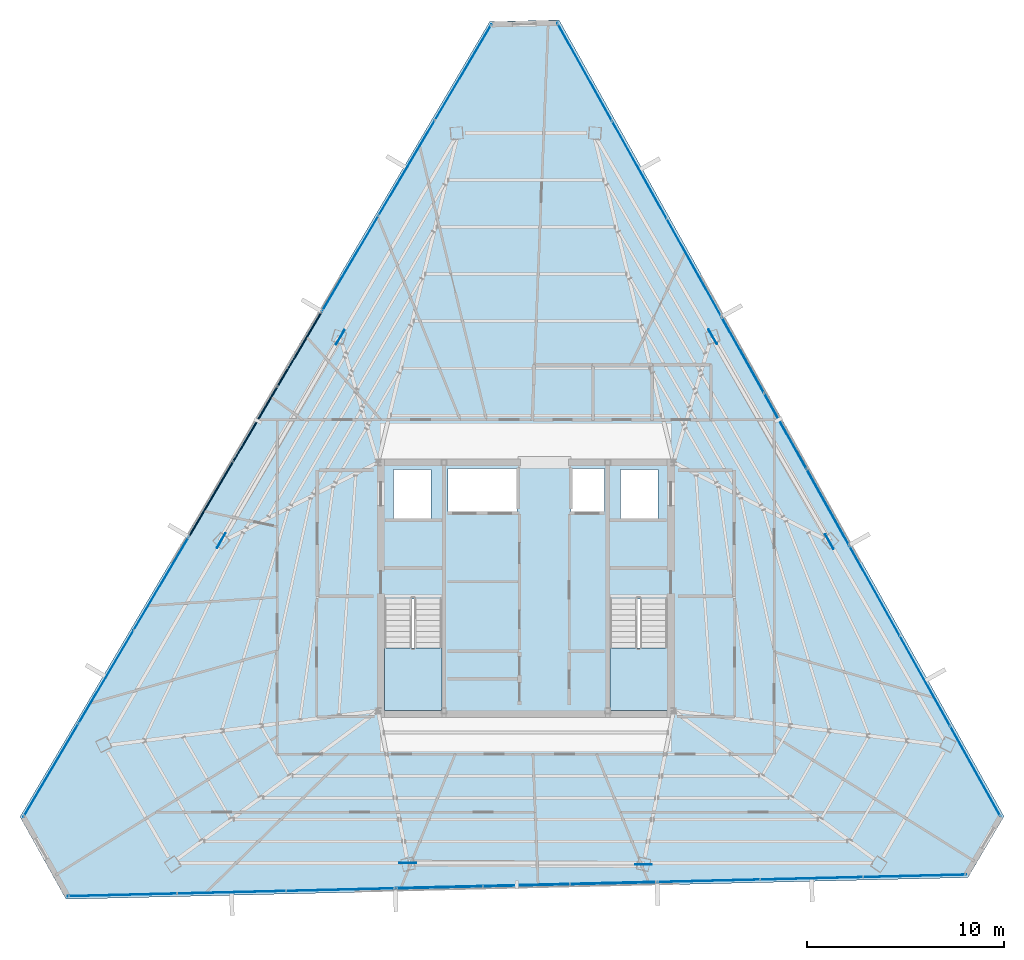
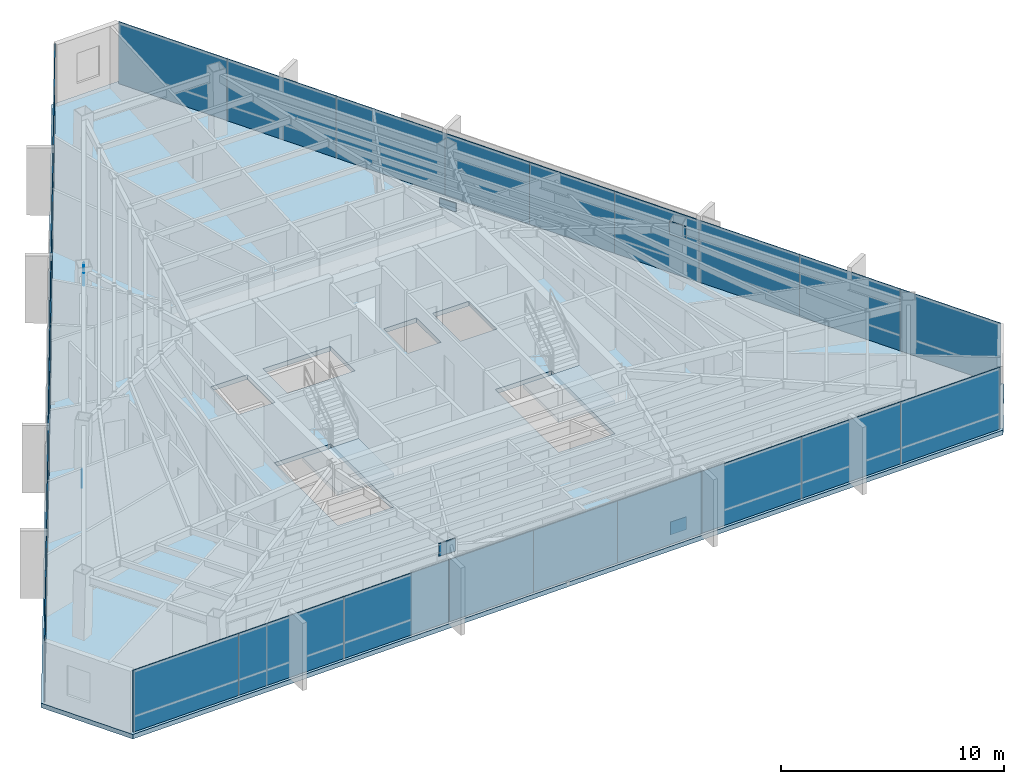
# One storey, part 38 of 48: 33 plates, 3 slabs, 11 elements without a shape of their own.
"""IFC4 building model written with IfcOpenShell, lengths in metres."""

from ifc_helpers import new_model, si_unit, direction, frame, origin, origin_2d, place, context, subcontext, project, spatial, polyline, rectangle, outline, extrude, source, transform, mapped, material, layer, layer_set, type_object, type_shapes, element, aggregate, save


model = new_model("IFC4")

# Units and contexts
model_context = context("Model", 3, precision=1e-05, world=origin(), true_north=direction((0.0, 1.0)))
body_context = subcontext(model_context, "Body", "Model", "MODEL_VIEW")
ifc_project = project(units=[si_unit("LENGTHUNIT", "METRE"), si_unit("AREAUNIT", "SQUARE_METRE"), si_unit("VOLUMEUNIT", "CUBIC_METRE"), si_unit("PLANEANGLEUNIT", "RADIAN"), si_unit("MASSUNIT", "GRAM", prefix="KILO")], contexts=[model_context])

# Site, building, storey
site_placement = place(None, origin())
site = spatial("IfcSite", under=ifc_project, at=site_placement, CompositionType="ELEMENT")
building_placement = place(site_placement, origin())
building = spatial("IfcBuilding", under=site, at=building_placement, Name="Caelisora Broadcast Tower", CompositionType="ELEMENT")
storey_placement = place(building_placement, frame((0.0, 0.0, 270.0)))
storey = spatial("IfcBuildingStorey", under=building, at=storey_placement, Name="L71", CompositionType="ELEMENT", Elevation=270.0)

# Slab
ifc_material_1 = material(Name="Concrete 40 MPa (AS 3600 N40)", Category="concrete")
ifc_layer_1 = layer(ifc_material_1, 0.25, Name="Concrete 40 MPa (AS 3600 N40)")
ifc_layer_set_1 = layer_set([ifc_layer_1], Name="Concrete 40 MPa (AS 3600 N40)")
slab_type_1 = type_object("IfcSlabType", Name="SL04", PredefinedType="FLOOR", material=ifc_layer_set_1)
slab_1_placement = place(storey_placement, frame((0.0, 0.0, -0.25)))
element("IfcSlab", 1, at=slab_1_placement, inside=storey, type_object=slab_type_1, Name="L71 suspended floor SL04", PredefinedType="FLOOR", context=body_context, shape_type="SweptSolid", body=[
    extrude(outline(polyline([(39.68603515625, 52.43896484375), (36.1669921875, 52.35400390625), (12.342041015625, 12.01806640625), (14.677001953125, 7.837890625), (60.425048828125, 8.93701171875), (62.257080078125, 12.0400390625), (39.68603515625, 52.43896484375)]), holes=[polyline([(30.820068359375, 17.39990234375), (33.739990234375, 17.39990234375), (33.739990234375, 23.080078125), (30.820068359375, 23.080078125), (30.820068359375, 17.39990234375)]), polyline([(42.260009765625, 17.39990234375), (45.179931640625, 17.39990234375), (45.179931640625, 23.080078125), (42.260009765625, 23.080078125), (42.260009765625, 17.39990234375)]), polyline([(42.800048828125, 27.14990234375), (44.699951171875, 27.14990234375), (44.699951171875, 29.64990234375), (42.800048828125, 29.64990234375), (42.800048828125, 27.14990234375)]), polyline([(40.300048828125, 27.5), (42.0, 27.5), (42.0, 29.699951171875), (40.300048828125, 29.699951171875), (40.300048828125, 27.5)]), polyline([(34.050048828125, 27.5), (37.550048828125, 27.5), (37.550048828125, 29.699951171875), (34.050048828125, 29.699951171875), (34.050048828125, 27.5)]), polyline([(31.300048828125, 27.14990234375), (33.199951171875, 27.14990234375), (33.199951171875, 29.64990234375), (31.300048828125, 29.64990234375), (31.300048828125, 27.14990234375)])]), origin(), (0.0, 0.0, 1.0), 0.25),
])

# Stair, slab
stair_type_1 = type_object("IfcStairType", Name="ST-1", PredefinedType="HALF_TURN_STAIR", material=ifc_material_1)
stair_1_placement = place(storey_placement, origin())
stair_1 = element("IfcStair", 2, at=stair_1_placement, inside=storey, type_object=stair_type_1, Name="L71 West Fire-Isolated Tower Stair", PredefinedType="HALF_TURN_STAIR")
ifc_layer_2 = layer(ifc_material_1, 0.199951171875, Name="Concrete 40 MPa (AS 3600 N40)")
ifc_layer_set_2 = layer_set([ifc_layer_2], Name="Concrete 40 MPa (AS 3600 N40)")
slab_type_2 = type_object("IfcSlabType", Name="STL-1", PredefinedType="LANDING", material=ifc_layer_set_2)
slab_2_placement = place(storey_placement, frame((0.0, 0.0, 1.625)))
slab_2 = element("IfcSlab", 3, at=slab_2_placement, type_object=slab_type_2, Name="ST-1 landing 1", PredefinedType="LANDING", context=body_context, shape_type="SweptSolid", body=[
    extrude(outline(polyline([(30.820068359375, 20.580078125), (30.820068359375, 17.39990234375), (33.739990234375, 17.39990234375), (33.739990234375, 20.580078125), (30.820068359375, 20.580078125)])), origin(), (0.0, 0.0, 1.0), 0.199951171875),
])
aggregate(stair_1, [slab_2])

stair_type_2 = type_object("IfcStairType", Name="ST-2", PredefinedType="HALF_TURN_STAIR", material=ifc_material_1)
stair_2_placement = place(storey_placement, origin())
stair_2 = element("IfcStair", 4, at=stair_2_placement, inside=storey, type_object=stair_type_2, Name="L71 East Fire-Isolated Tower Stair", PredefinedType="HALF_TURN_STAIR")
slab_3_placement = place(storey_placement, frame((0.0, 0.0, 1.625)))
slab_3 = element("IfcSlab", 5, at=slab_3_placement, type_object=slab_type_2, Name="ST-2 landing 1", PredefinedType="LANDING", context=body_context, shape_type="SweptSolid", body=[
    extrude(outline(polyline([(42.260009765625, 20.580078125), (42.260009765625, 17.39990234375), (45.179931640625, 17.39990234375), (45.179931640625, 20.580078125), (42.260009765625, 20.580078125)])), origin(), (0.0, 0.0, 1.0), 0.199951171875),
])
aggregate(stair_2, [slab_3])

# Plates
ifc_material_2 = material(Name="Steel Grade 350 L15 (AS/NZS 3678)", Category="steel")
ifc_layer_3 = layer(ifc_material_2, 0.0400390625, Name="Steel Grade 350 L15 (AS/NZS 3678)")
ifc_layer_set_3 = layer_set([ifc_layer_3], Name="Steel Grade 350 L15 (AS/NZS 3678)")
plate_type_1 = type_object("IfcPlateType", Name="GP04", PredefinedType="USERDEFINED", material=ifc_layer_set_3)
shared_shape_1 = source(origin(), body_context, "Body", "SweptSolid", [
    extrude(rectangle(XDim=0.85009765625, YDim=0.0400390625, at=origin_2d()), origin(), (0.0, 0.0, 1.0), 0.699951171875),
])
type_shapes(plate_type_1, [shared_shape_1])
for number, where, z_axis, x_axis, name in (
    (6, (28.583984375, 36.34375, 2.72998046875), (0.0, 0.0, 1.0), (-0.5, -0.866025403784, 0.0), "L71 gusset plate GP04 (ND-L71-C02T)"),
    (7, (22.547607421875, 26.032958984375, -0.22998046875), (0.0, 0.0, 1.0), (-0.5, -0.866025403784, 0.0), "L71 gusset plate GP04 (ND-L71-C03B)"),
    (8, (32.017822265625, 9.673583984375, 2.72998046875), (0.0, 0.0, 1.0), (1.0, 0.0, 0.0), "L71 gusset plate GP04 (ND-L71-C06T)"),
    (9, (43.9658203125, 9.601318359375, -0.22998046875), (0.0, 0.0, 1.0), (1.0, 0.0, 0.0), "L71 gusset plate GP04 (ND-L71-C07B)"),
    (10, (53.39794921875, 25.982666015625, 2.72998046875), (0.0, 0.0, 1.0), (-0.5, 0.866025403784, 0.0), "L71 gusset plate GP04 (ND-L71-C10T)"),
    (11, (47.48681640625, 36.36572265625, -0.22998046875), (0.0, 0.0, 1.0), (-0.5, 0.866025403784, 0.0), "L71 gusset plate GP04 (ND-L71-C11B)"),
):
    element("IfcPlate", number, at=place(storey_placement, frame(where, z_axis=z_axis, x_axis=x_axis)), inside=storey, type_object=plate_type_1, Name=name, ObjectType="GUSSET PLATE", PredefinedType="USERDEFINED", context=body_context, shape_type="MappedRepresentation", body=[
        mapped(shared_shape_1, transform((0.0, 0.0, 0.0), scale=1.0)),
    ])

# Curtain wall, plates
ifc_material_3 = material(Name="Unitised Aluminium and Low-E Glass Curtain Wall", Category="glass")
curtain_wall_type_1 = type_object("IfcCurtainWallType", Name="CW-Z5", PredefinedType="NOTDEFINED", material=ifc_material_3)
curtain_wall_1_placement = place(storey_placement, origin())
curtain_wall_1 = element("IfcCurtainWall", 12, at=curtain_wall_1_placement, inside=storey, type_object=curtain_wall_type_1, Name="L71 curtain wall CW-Z5", PredefinedType="NOTDEFINED")
ifc_material_4 = material(Name="Double Glazed Low-E Argon IGU", Category="glass")
ifc_layer_4 = layer(ifc_material_4, 0.028076171875, Name="Double Glazed Low-E Argon IGU")
ifc_layer_set_4 = layer_set([ifc_layer_4], Name="Double Glazed Low-E Argon IGU")
plate_type_2 = type_object("IfcPlateType", Name="CWP-06", PredefinedType="CURTAIN_PANEL", material=ifc_layer_set_4)
shared_shape_2 = source(origin(), body_context, "Body", "SweptSolid", [
    extrude(rectangle(XDim=5.688720703125, YDim=0.028076171875, at=origin_2d()), origin(), (0.0, 0.0, 1.0), 3.39990234375),
])
plate_1_placement = place(storey_placement, frame((40.986328125, 49.803955078125, 0.0), z_axis=(0.0, 0.0, 1.0), x_axis=(0.487707298065, -0.873007211547, 0.0)))
plate_1 = element("IfcPlate", 13, at=plate_1_placement, type_object=plate_type_2, Name="L71-CW-B01 glazed panel #1", PredefinedType="CURTAIN_PANEL", context=body_context, shape_type="MappedRepresentation", body=[
    mapped(shared_shape_2, transform((0.0, 0.0, 0.0), scale=1.0)),
])
plate_2_placement = place(storey_placement, frame((43.760986328125, 44.837646484375, 0.0), z_axis=(0.0, 0.0, 1.0), x_axis=(0.487707298065, -0.873007211547, 0.0)))
plate_2 = element("IfcPlate", 14, at=plate_2_placement, type_object=plate_type_2, Name="L71-CW-B01 glazed panel #2", PredefinedType="CURTAIN_PANEL", context=body_context, shape_type="MappedRepresentation", body=[
    mapped(shared_shape_2, transform((0.0, 0.0, 0.0), scale=1.0)),
])
plate_3_placement = place(storey_placement, frame((46.53564453125, 39.87158203125, 0.0), z_axis=(0.0, 0.0, 1.0), x_axis=(0.487707298065, -0.873007211547, 0.0)))
plate_3 = element("IfcPlate", 15, at=plate_3_placement, type_object=plate_type_2, Name="L71-CW-B01 glazed panel #3", PredefinedType="CURTAIN_PANEL", context=body_context, shape_type="MappedRepresentation", body=[
    mapped(shared_shape_2, transform((0.0, 0.0, 0.0), scale=1.0)),
])
aggregate(curtain_wall_1, [plate_1, plate_2, plate_3])

ifc_material_5 = material(Name="Unitised Aluminium Insulated Shadow-Box Spandrel Curtain Wall", Category="aluminium")
curtain_wall_type_2 = type_object("IfcCurtainWallType", Name="CW-SP3", PredefinedType="NOTDEFINED", material=ifc_material_5)
curtain_wall_2_placement = place(storey_placement, origin())
curtain_wall_2 = element("IfcCurtainWall", 16, at=curtain_wall_2_placement, inside=storey, type_object=curtain_wall_type_2, Name="L71 curtain wall CW-SP3", PredefinedType="NOTDEFINED")
ifc_material_6 = material(Name="Insulated Terracotta Shadow-Box Spandrel Panel", Category="aluminium")
ifc_layer_5 = layer(ifc_material_6, 0.0439453125, Name="Insulated Terracotta Shadow-Box Spandrel Panel")
ifc_layer_set_5 = layer_set([ifc_layer_5], Name="Insulated Terracotta Shadow-Box Spandrel Panel")
plate_type_3 = type_object("IfcPlateType", Name="CWP-10", PredefinedType="CURTAIN_PANEL", material=ifc_layer_set_5)
shared_shape_3 = source(origin(), body_context, "Body", "SweptSolid", [
    extrude(rectangle(XDim=4.42333984375, YDim=0.0439453125, at=origin_2d()), origin(), (0.0, 0.0, 1.0), 3.39990234375),
])
plate_4_placement = place(storey_placement, frame((49.006591796875, 35.448974609375, 0.0), z_axis=(0.0, 0.0, 1.0), x_axis=(0.487707298065, -0.873007211547, 0.0)))
plate_4 = element("IfcPlate", 17, at=plate_4_placement, type_object=plate_type_3, Name="L71-CW-B02 spandrel panel #1", PredefinedType="CURTAIN_PANEL", context=body_context, shape_type="MappedRepresentation", body=[
    mapped(shared_shape_3, transform((0.0, 0.0, 0.0), scale=1.0)),
])
plate_5_placement = place(storey_placement, frame((51.1640625, 31.58740234375, 0.0), z_axis=(0.0, 0.0, 1.0), x_axis=(0.487707298065, -0.873007211547, 0.0)))
plate_5 = element("IfcPlate", 18, at=plate_5_placement, type_object=plate_type_3, Name="L71-CW-B02 spandrel panel #2", PredefinedType="CURTAIN_PANEL", context=body_context, shape_type="MappedRepresentation", body=[
    mapped(shared_shape_3, transform((0.0, 0.0, 0.0), scale=1.0)),
])
plate_6_placement = place(storey_placement, frame((53.321533203125, 27.7255859375, 0.0), z_axis=(0.0, 0.0, 1.0), x_axis=(0.487707298065, -0.873007211547, 0.0)))
plate_6 = element("IfcPlate", 19, at=plate_6_placement, type_object=plate_type_3, Name="L71-CW-B02 spandrel panel #3", PredefinedType="CURTAIN_PANEL", context=body_context, shape_type="MappedRepresentation", body=[
    mapped(shared_shape_3, transform((0.0, 0.0, 0.0), scale=1.0)),
])
aggregate(curtain_wall_2, [plate_4, plate_5, plate_6])

curtain_wall_3_placement = place(storey_placement, origin())
curtain_wall_3 = element("IfcCurtainWall", 20, at=curtain_wall_3_placement, inside=storey, type_object=curtain_wall_type_1, Name="L71 curtain wall CW-Z5", PredefinedType="NOTDEFINED")
shared_shape_4 = source(origin(), body_context, "Body", "SweptSolid", [
    extrude(rectangle(XDim=5.247802734375, YDim=0.028076171875, at=origin_2d()), origin(), (0.0, 0.0, 1.0), 3.39990234375),
])
plate_7_placement = place(storey_placement, frame((55.684814453125, 23.49560546875, 0.0), z_axis=(0.0, 0.0, 1.0), x_axis=(0.487707298065, -0.873007211547, 0.0)))
plate_7 = element("IfcPlate", 21, at=plate_7_placement, type_object=plate_type_2, Name="L71-CW-B03 glazed panel #1", PredefinedType="CURTAIN_PANEL", context=body_context, shape_type="MappedRepresentation", body=[
    mapped(shared_shape_4, transform((0.0, 0.0, 0.0), scale=1.0)),
])
plate_8_placement = place(storey_placement, frame((58.244384765625, 18.9140625, 0.0), z_axis=(0.0, 0.0, 1.0), x_axis=(0.487707298065, -0.873007211547, 0.0)))
plate_8 = element("IfcPlate", 22, at=plate_8_placement, type_object=plate_type_2, Name="L71-CW-B03 glazed panel #2", PredefinedType="CURTAIN_PANEL", context=body_context, shape_type="MappedRepresentation", body=[
    mapped(shared_shape_4, transform((0.0, 0.0, 0.0), scale=1.0)),
])
plate_9_placement = place(storey_placement, frame((60.80419921875, 14.332763671875, 0.0), z_axis=(0.0, 0.0, 1.0), x_axis=(0.487707298065, -0.873007211547, 0.0)))
plate_9 = element("IfcPlate", 23, at=plate_9_placement, type_object=plate_type_2, Name="L71-CW-B03 glazed panel #3", PredefinedType="CURTAIN_PANEL", context=body_context, shape_type="MappedRepresentation", body=[
    mapped(shared_shape_4, transform((0.0, 0.0, 0.0), scale=1.0)),
])
aggregate(curtain_wall_3, [plate_7, plate_8, plate_9])

curtain_wall_4_placement = place(storey_placement, origin())
curtain_wall_4 = element("IfcCurtainWall", 24, at=curtain_wall_4_placement, inside=storey, type_object=curtain_wall_type_1, Name="L71 curtain wall CW-Z5", PredefinedType="NOTDEFINED")
shared_shape_5 = source(origin(), body_context, "Body", "SweptSolid", [
    extrude(rectangle(XDim=5.22509765625, YDim=0.028076171875, at=origin_2d()), origin(), (0.0, 0.0, 1.0), 3.39990234375),
])
plate_10_placement = place(storey_placement, frame((57.726318359375, 9.022216796875, 0.0), z_axis=(0.0, 0.0, 1.0), x_axis=(-0.999709957315, -0.024083215021, 0.0)))
plate_10 = element("IfcPlate", 25, at=plate_10_placement, type_object=plate_type_2, Name="L71-CW-B05 glazed panel #1", PredefinedType="CURTAIN_PANEL", context=body_context, shape_type="MappedRepresentation", body=[
    mapped(shared_shape_5, transform((0.0, 0.0, 0.0), scale=1.0)),
])
plate_11_placement = place(storey_placement, frame((52.502685546875, 8.896728515625, 0.0), z_axis=(0.0, 0.0, 1.0), x_axis=(-0.999709957315, -0.024083215021, 0.0)))
plate_11 = element("IfcPlate", 26, at=plate_11_placement, type_object=plate_type_2, Name="L71-CW-B05 glazed panel #2", PredefinedType="CURTAIN_PANEL", context=body_context, shape_type="MappedRepresentation", body=[
    mapped(shared_shape_5, transform((0.0, 0.0, 0.0), scale=1.0)),
])
plate_12_placement = place(storey_placement, frame((47.279052734375, 8.771240234375, 0.0), z_axis=(0.0, 0.0, 1.0), x_axis=(-0.999709957315, -0.024083215021, 0.0)))
plate_12 = element("IfcPlate", 27, at=plate_12_placement, type_object=plate_type_2, Name="L71-CW-B05 glazed panel #3", PredefinedType="CURTAIN_PANEL", context=body_context, shape_type="MappedRepresentation", body=[
    mapped(shared_shape_5, transform((0.0, 0.0, 0.0), scale=1.0)),
])
aggregate(curtain_wall_4, [plate_10, plate_11, plate_12])

curtain_wall_5_placement = place(storey_placement, origin())
curtain_wall_5 = element("IfcCurtainWall", 28, at=curtain_wall_5_placement, inside=storey, type_object=curtain_wall_type_2, Name="L71 curtain wall CW-SP3", PredefinedType="NOTDEFINED")
shared_shape_6 = source(origin(), body_context, "Body", "SweptSolid", [
    extrude(rectangle(XDim=4.422607421875, YDim=0.0439453125, at=origin_2d()), origin(), (0.0, 0.0, 1.0), 3.39990234375),
])
plate_13_placement = place(storey_placement, frame((42.44677734375, 8.655029296875, 0.0), z_axis=(0.0, 0.0, 1.0), x_axis=(-0.999709957315, -0.024083215021, 0.0)))
plate_13 = element("IfcPlate", 29, at=plate_13_placement, type_object=plate_type_3, Name="L71-CW-B06 spandrel panel #1", PredefinedType="CURTAIN_PANEL", context=body_context, shape_type="MappedRepresentation", body=[
    mapped(shared_shape_6, transform((0.0, 0.0, 0.0), scale=1.0)),
])
plate_14_placement = place(storey_placement, frame((38.025390625, 8.548828125, 0.0), z_axis=(0.0, 0.0, 1.0), x_axis=(-0.999709957315, -0.024083215021, 0.0)))
plate_14 = element("IfcPlate", 30, at=plate_14_placement, type_object=plate_type_3, Name="L71-CW-B06 spandrel panel #2", PredefinedType="CURTAIN_PANEL", context=body_context, shape_type="MappedRepresentation", body=[
    mapped(shared_shape_6, transform((0.0, 0.0, 0.0), scale=1.0)),
])
plate_15_placement = place(storey_placement, frame((33.60400390625, 8.442626953125, 0.0), z_axis=(0.0, 0.0, 1.0), x_axis=(-0.999709957315, -0.024083215021, 0.0)))
plate_15 = element("IfcPlate", 31, at=plate_15_placement, type_object=plate_type_3, Name="L71-CW-B06 spandrel panel #3", PredefinedType="CURTAIN_PANEL", context=body_context, shape_type="MappedRepresentation", body=[
    mapped(shared_shape_6, transform((0.0, 0.0, 0.0), scale=1.0)),
])
aggregate(curtain_wall_5, [plate_13, plate_14, plate_15])

curtain_wall_6_placement = place(storey_placement, origin())
curtain_wall_6 = element("IfcCurtainWall", 32, at=curtain_wall_6_placement, inside=storey, type_object=curtain_wall_type_1, Name="L71 curtain wall CW-Z5", PredefinedType="NOTDEFINED")
shared_shape_7 = source(origin(), body_context, "Body", "SweptSolid", [
    extrude(rectangle(XDim=5.541259765625, YDim=0.028076171875, at=origin_2d()), origin(), (0.0, 0.0, 1.0), 3.39990234375),
])
plate_16_placement = place(storey_placement, frame((28.61328125, 8.32275390625, 0.0), z_axis=(0.0, 0.0, 1.0), x_axis=(-0.999709957315, -0.024083215021, 0.0)))
plate_16 = element("IfcPlate", 33, at=plate_16_placement, type_object=plate_type_2, Name="L71-CW-B07 glazed panel #1", PredefinedType="CURTAIN_PANEL", context=body_context, shape_type="MappedRepresentation", body=[
    mapped(shared_shape_7, transform((0.0, 0.0, 0.0), scale=1.0)),
])
plate_17_placement = place(storey_placement, frame((23.073486328125, 8.189697265625, 0.0), z_axis=(0.0, 0.0, 1.0), x_axis=(-0.999709957315, -0.024083215021, 0.0)))
plate_17 = element("IfcPlate", 34, at=plate_17_placement, type_object=plate_type_2, Name="L71-CW-B07 glazed panel #2", PredefinedType="CURTAIN_PANEL", context=body_context, shape_type="MappedRepresentation", body=[
    mapped(shared_shape_7, transform((0.0, 0.0, 0.0), scale=1.0)),
])
plate_18_placement = place(storey_placement, frame((17.533935546875, 8.056640625, 0.0), z_axis=(0.0, 0.0, 1.0), x_axis=(-0.999709957315, -0.024083215021, 0.0)))
plate_18 = element("IfcPlate", 35, at=plate_18_placement, type_object=plate_type_2, Name="L71-CW-B07 glazed panel #3", PredefinedType="CURTAIN_PANEL", context=body_context, shape_type="MappedRepresentation", body=[
    mapped(shared_shape_7, transform((0.0, 0.0, 0.0), scale=1.0)),
])
aggregate(curtain_wall_6, [plate_16, plate_17, plate_18])

curtain_wall_7_placement = place(storey_placement, origin())
curtain_wall_7 = element("IfcCurtainWall", 36, at=curtain_wall_7_placement, inside=storey, type_object=curtain_wall_type_1, Name="L71 curtain wall CW-Z5", PredefinedType="NOTDEFINED")
shared_shape_8 = source(origin(), body_context, "Body", "SweptSolid", [
    extrude(rectangle(XDim=5.4970703125, YDim=0.028076171875, at=origin_2d()), origin(), (0.0, 0.0, 1.0), 3.39990234375),
])
plate_19_placement = place(storey_placement, frame((13.912841796875, 14.382568359375, 0.0), z_axis=(0.0, 0.0, 1.0), x_axis=(0.508590662521, 0.861008442465, 0.0)))
plate_19 = element("IfcPlate", 37, at=plate_19_placement, type_object=plate_type_2, Name="L71-CW-B09 glazed panel #1", PredefinedType="CURTAIN_PANEL", context=body_context, shape_type="MappedRepresentation", body=[
    mapped(shared_shape_8, transform((0.0, 0.0, 0.0), scale=1.0)),
])
plate_20_placement = place(storey_placement, frame((16.70849609375, 19.115478515625, 0.0), z_axis=(0.0, 0.0, 1.0), x_axis=(0.508590662521, 0.861008442465, 0.0)))
plate_20 = element("IfcPlate", 38, at=plate_20_placement, type_object=plate_type_2, Name="L71-CW-B09 glazed panel #2", PredefinedType="CURTAIN_PANEL", context=body_context, shape_type="MappedRepresentation", body=[
    mapped(shared_shape_8, transform((0.0, 0.0, 0.0), scale=1.0)),
])
plate_21_placement = place(storey_placement, frame((19.504150390625, 23.8486328125, 0.0), z_axis=(0.0, 0.0, 1.0), x_axis=(0.508590662521, 0.861008442465, 0.0)))
plate_21 = element("IfcPlate", 39, at=plate_21_placement, type_object=plate_type_2, Name="L71-CW-B09 glazed panel #3", PredefinedType="CURTAIN_PANEL", context=body_context, shape_type="MappedRepresentation", body=[
    mapped(shared_shape_8, transform((0.0, 0.0, 0.0), scale=1.0)),
])
aggregate(curtain_wall_7, [plate_19, plate_20, plate_21])

curtain_wall_8_placement = place(storey_placement, origin())
curtain_wall_8 = element("IfcCurtainWall", 40, at=curtain_wall_8_placement, inside=storey, type_object=curtain_wall_type_2, Name="L71 curtain wall CW-SP3", PredefinedType="NOTDEFINED")
shared_shape_9 = source(origin(), body_context, "Body", "SweptSolid", [
    extrude(rectangle(XDim=4.423583984375, YDim=0.0439453125, at=origin_2d()), origin(), (0.0, 0.0, 1.0), 3.39990234375),
])
type_shapes(plate_type_3, [shared_shape_3, shared_shape_6, shared_shape_9])
plate_22_placement = place(storey_placement, frame((22.031982421875, 28.128173828125, 0.0), z_axis=(0.0, 0.0, 1.0), x_axis=(0.508590662521, 0.861008442465, 0.0)))
plate_22 = element("IfcPlate", 41, at=plate_22_placement, type_object=plate_type_3, Name="L71-CW-B10 spandrel panel #1", PredefinedType="CURTAIN_PANEL", context=body_context, shape_type="MappedRepresentation", body=[
    mapped(shared_shape_9, transform((0.0, 0.0, 0.0), scale=1.0)),
])
plate_23_placement = place(storey_placement, frame((24.28173828125, 31.93701171875, 0.0), z_axis=(0.0, 0.0, 1.0), x_axis=(0.508590662521, 0.861008442465, 0.0)))
plate_23 = element("IfcPlate", 42, at=plate_23_placement, type_object=plate_type_3, Name="L71-CW-B10 spandrel panel #2", PredefinedType="CURTAIN_PANEL", context=body_context, shape_type="MappedRepresentation", body=[
    mapped(shared_shape_9, transform((0.0, 0.0, 0.0), scale=1.0)),
])
plate_24_placement = place(storey_placement, frame((26.531494140625, 35.74560546875, 0.0), z_axis=(0.0, 0.0, 1.0), x_axis=(0.508590662521, 0.861008442465, 0.0)))
plate_24 = element("IfcPlate", 43, at=plate_24_placement, type_object=plate_type_3, Name="L71-CW-B10 spandrel panel #3", PredefinedType="CURTAIN_PANEL", context=body_context, shape_type="MappedRepresentation", body=[
    mapped(shared_shape_9, transform((0.0, 0.0, 0.0), scale=1.0)),
])
aggregate(curtain_wall_8, [plate_22, plate_23, plate_24])

curtain_wall_9_placement = place(storey_placement, origin())
curtain_wall_9 = element("IfcCurtainWall", 44, at=curtain_wall_9_placement, inside=storey, type_object=curtain_wall_type_1, Name="L71 curtain wall CW-Z5", PredefinedType="NOTDEFINED")
shared_shape_10 = source(origin(), body_context, "Body", "SweptSolid", [
    extrude(rectangle(XDim=5.6318359375, YDim=0.028076171875, at=origin_2d()), origin(), (0.0, 0.0, 1.0), 3.39990234375),
])
type_shapes(plate_type_2, [shared_shape_2, shared_shape_4, shared_shape_5, shared_shape_7, shared_shape_8, shared_shape_10])
plate_25_placement = place(storey_placement, frame((29.093505859375, 40.083251953125, 0.0), z_axis=(0.0, 0.0, 1.0), x_axis=(0.508590662521, 0.861008442465, 0.0)))
plate_25 = element("IfcPlate", 45, at=plate_25_placement, type_object=plate_type_2, Name="L71-CW-B11 glazed panel #1", PredefinedType="CURTAIN_PANEL", context=body_context, shape_type="MappedRepresentation", body=[
    mapped(shared_shape_10, transform((0.0, 0.0, 0.0), scale=1.0)),
])
plate_26_placement = place(storey_placement, frame((31.957763671875, 44.932373046875, 0.0), z_axis=(0.0, 0.0, 1.0), x_axis=(0.508590662521, 0.861008442465, 0.0)))
plate_26 = element("IfcPlate", 46, at=plate_26_placement, type_object=plate_type_2, Name="L71-CW-B11 glazed panel #2", PredefinedType="CURTAIN_PANEL", context=body_context, shape_type="MappedRepresentation", body=[
    mapped(shared_shape_10, transform((0.0, 0.0, 0.0), scale=1.0)),
])
plate_27_placement = place(storey_placement, frame((34.822021484375, 49.781494140625, 0.0), z_axis=(0.0, 0.0, 1.0), x_axis=(0.508590662521, 0.861008442465, 0.0)))
plate_27 = element("IfcPlate", 47, at=plate_27_placement, type_object=plate_type_2, Name="L71-CW-B11 glazed panel #3", PredefinedType="CURTAIN_PANEL", context=body_context, shape_type="MappedRepresentation", body=[
    mapped(shared_shape_10, transform((0.0, 0.0, 0.0), scale=1.0)),
])
aggregate(curtain_wall_9, [plate_25, plate_26, plate_27])

save(model, "model.ifc")
